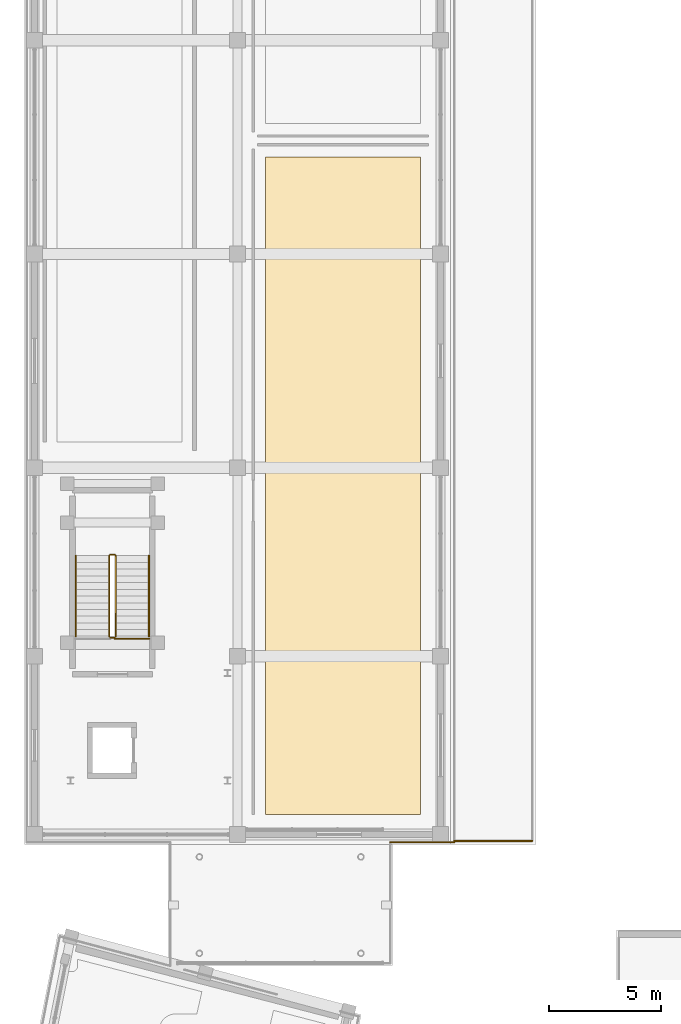
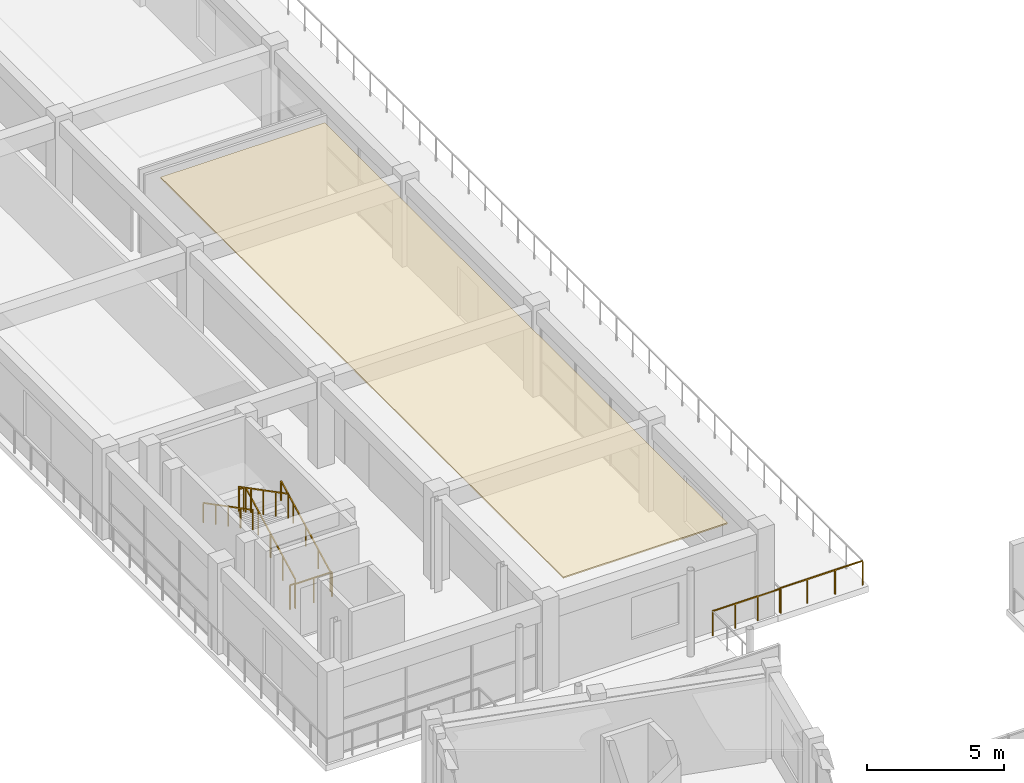
# One storey, part 66 of 70: 9 railings, 1 covering.
"""IFC4 building model written with IfcOpenShell, lengths in metres."""

from ifc_helpers import new_model, si_unit, direction, frame, origin, origin_2d, place, context, subcontext, project, spatial, polyline, rectangle, outline, extrude, material, layer, layer_set, type_object, element, save


model = new_model("IFC4")

# Units and contexts
model_context = context("Model", 3, precision=1e-05, world=origin(), true_north=direction((0.0, 1.0)))
body_context = subcontext(model_context, "Body", "Model", "MODEL_VIEW")
ifc_project = project(units=[si_unit("LENGTHUNIT", "METRE"), si_unit("AREAUNIT", "SQUARE_METRE"), si_unit("VOLUMEUNIT", "CUBIC_METRE"), si_unit("PLANEANGLEUNIT", "RADIAN"), si_unit("MASSUNIT", "GRAM", prefix="KILO")], contexts=[model_context])

# Site, building, storey
site_placement = place(None, origin())
site = spatial("IfcSite", under=ifc_project, at=site_placement, CompositionType="ELEMENT")
building_placement = place(site_placement, origin())
building = spatial("IfcBuilding", under=site, at=building_placement, Name="Saryqyr Civic Hall", CompositionType="ELEMENT")
storey_placement = place(building_placement, frame((0.0, 0.0, 13.199951171875)))
storey = spatial("IfcBuildingStorey", under=building, at=storey_placement, Name="L03", CompositionType="ELEMENT", Elevation=13.199951171875)

# Railing
ifc_material_1 = material(Name="Stainless steel and laminated glass", Category="steel")
ifc_layer_1 = layer(ifc_material_1, 0.06005859375, Name="Stainless steel and laminated glass")
ifc_layer_set_1 = layer_set([ifc_layer_1], Name="Stainless steel and laminated glass")
railing_type_1 = type_object("IfcRailingType", Name="ENV-RLG-BAL-1100", PredefinedType="BALUSTRADE", material=ifc_layer_set_1)
railing_1_placement = place(storey_placement, frame((26.760009765625, 100.9599609375, 0.0)))
element("IfcRailing", 1, at=railing_1_placement, inside=storey, type_object=railing_type_1, Name="Perimeter safety balustrade V3-TERR-L03-G01", PredefinedType="BALUSTRADE", context=body_context, shape_type="SweptSolid", body=[
    extrude(rectangle(XDim=0.048095703125, YDim=0.048095703125, at=origin_2d()), frame((0.0, 0.0, 1.076171875), z_axis=(1.0, 0.0, 0.0), x_axis=(0.0, 1.0, 0.0)), (0.0, 0.0, 1.0), 3.47998046875),
    extrude(rectangle(XDim=0.0419921875, YDim=0.0419921875, at=origin_2d()), origin(), (0.0, 0.0, 1.0), 1.052001953125),
    extrude(rectangle(XDim=0.0419921875, YDim=0.0419921875, at=origin_2d()), frame((1.159912109375, 0.0, 0.0)), (0.0, 0.0, 1.0), 1.052001953125),
    extrude(rectangle(XDim=0.0419921875, YDim=0.0419921875, at=origin_2d()), frame((2.320068359375, 0.0, 0.0)), (0.0, 0.0, 1.0), 1.052001953125),
    extrude(rectangle(XDim=0.0419921875, YDim=0.0419921875, at=origin_2d()), frame((3.47998046875, 0.0, 0.0)), (0.0, 0.0, 1.0), 1.052001953125),
])

# Covering
ifc_material_2 = material(Name="Mineral-fibre acoustic ceiling tile", Category="acoustic_tile")
ifc_layer_2 = layer(ifc_material_2, 0.06005859375, Name="Mineral-fibre acoustic ceiling tile")
ifc_layer_set_2 = layer_set([ifc_layer_2], Name="Mineral-fibre acoustic ceiling tile")
covering_type = type_object("IfcCoveringType", Name="INT-COV-CEIL-60", PredefinedType="CEILING", material=ifc_layer_set_2)
covering_placement = place(storey_placement, frame((0.0, 0.0, 3.72998046875)))
element("IfcCovering", 2, at=covering_placement, inside=storey, type_object=covering_type, Name="Acoustic ceiling Members' Seminar & Book Presentation Room", PredefinedType="CEILING", context=body_context, shape_type="SweptSolid", body=[
    extrude(outline(polyline([(18.35009765625, 102.14990234375), (18.35009765625, 131.449951171875), (25.25, 131.449951171875), (25.25, 102.14990234375), (18.35009765625, 102.14990234375)])), origin(), (0.0, 0.0, 1.0), 0.06005859375),
])

# Railings
ifc_material_3 = material(Name="Warm brushed brass and laminated glass", Category="glass")
ifc_layer_3 = layer(ifc_material_3, 0.06005859375, Name="Warm brushed brass and laminated glass")
ifc_layer_set_3 = layer_set([ifc_layer_3], Name="Warm brushed brass and laminated glass")
railing_type_2 = type_object("IfcRailingType", Name="INT-RLG-BAL-1100", PredefinedType="BALUSTRADE", material=ifc_layer_set_3)
railing_2_placement = place(storey_placement, frame((11.669921875, 110.080078125, 0.15576171875)))
element("IfcRailing", 3, at=railing_2_placement, inside=storey, type_object=railing_type_2, Name="L03 ST-3 stair guard 1", PredefinedType="BALUSTRADE", context=body_context, shape_type="SweptSolid", body=[
    extrude(rectangle(XDim=0.048095703125, YDim=0.048095703125, at=origin_2d()), frame((0.0, 0.0, 1.076171875), z_axis=(0.0, 0.887472880572, 0.460859942119), x_axis=(-1.0, 0.0, 0.0)), (0.0, 0.0, 1.0), 4.056396484375),
    extrude(rectangle(XDim=0.0419921875, YDim=0.0419921875, at=origin_2d()), origin(), (0.0, 0.0, 1.0), 1.052001953125),
    extrude(rectangle(XDim=0.0419921875, YDim=0.0419921875, at=origin_2d()), frame((0.0, 0.89990234375, 0.46728515625)), (0.0, 0.0, 1.0), 1.052001953125),
    extrude(rectangle(XDim=0.0419921875, YDim=0.0419921875, at=origin_2d()), frame((0.0, 1.7998046875, 0.9345703125)), (0.0, 0.0, 1.0), 1.052001953125),
    extrude(rectangle(XDim=0.0419921875, YDim=0.0419921875, at=origin_2d()), frame((0.0, 2.699951171875, 1.402099609375)), (0.0, 0.0, 1.0), 1.052001953125),
    extrude(rectangle(XDim=0.0419921875, YDim=0.0419921875, at=origin_2d()), frame((0.0, 3.599853515625, 1.869384765625)), (0.0, 0.0, 1.0), 1.052001953125),
])
railing_3_placement = place(storey_placement, frame((11.6201171875, 113.72998046875, 2.025146484375)))
element("IfcRailing", 4, at=railing_3_placement, inside=storey, type_object=railing_type_2, Name="L03 ST-3 stair guard 2", PredefinedType="BALUSTRADE", context=body_context, shape_type="SweptSolid", body=[
    extrude(rectangle(XDim=0.048095703125, YDim=0.048095703125, at=origin_2d()), frame((0.0, 0.0, 1.076171875), z_axis=(-1.0, 0.0, 0.0), x_axis=(0.0, -1.0, 0.0)), (0.0, 0.0, 1.0), 0.2001953125),
    extrude(rectangle(XDim=0.0419921875, YDim=0.0419921875, at=origin_2d()), origin(), (0.0, 0.0, 1.0), 1.052001953125),
    extrude(rectangle(XDim=0.0419921875, YDim=0.0419921875, at=origin_2d()), frame((-0.2001953125, 0.0, 0.0)), (0.0, 0.0, 1.0), 1.052001953125),
])
railing_4_placement = place(storey_placement, frame((11.3701171875, 113.679931640625, 2.180908203125)))
element("IfcRailing", 5, at=railing_4_placement, inside=storey, type_object=railing_type_2, Name="L03 ST-3 stair guard 3", PredefinedType="BALUSTRADE", context=body_context, shape_type="SweptSolid", body=[
    extrude(rectangle(XDim=0.048095703125, YDim=0.048095703125, at=origin_2d()), frame((0.0, 0.0, 1.076171875), z_axis=(0.0, -0.887497496945, 0.460812535545), x_axis=(1.0, 0.0, 0.0)), (0.0, 0.0, 1.0), 4.05615234375),
    extrude(rectangle(XDim=0.0419921875, YDim=0.0419921875, at=origin_2d()), origin(), (0.0, 0.0, 1.0), 1.052001953125),
    extrude(rectangle(XDim=0.0419921875, YDim=0.0419921875, at=origin_2d()), frame((0.0, -0.89990234375, 0.46728515625)), (0.0, 0.0, 1.0), 1.052001953125),
    extrude(rectangle(XDim=0.0419921875, YDim=0.0419921875, at=origin_2d()), frame((0.0, -1.7998046875, 0.9345703125)), (0.0, 0.0, 1.0), 1.052001953125),
    extrude(rectangle(XDim=0.0419921875, YDim=0.0419921875, at=origin_2d()), frame((0.0, -2.699951171875, 1.40185546875)), (0.0, 0.0, 1.0), 1.052001953125),
    extrude(rectangle(XDim=0.0419921875, YDim=0.0419921875, at=origin_2d()), frame((0.0, -3.599853515625, 1.869140625)), (0.0, 0.0, 1.0), 1.052001953125),
])
railing_5_placement = place(storey_placement, frame((11.6201171875, 110.030029296875, 0.0)))
element("IfcRailing", 6, at=railing_5_placement, inside=storey, type_object=railing_type_2, Name="L03 ST-3 stair guard 4", PredefinedType="BALUSTRADE", context=body_context, shape_type="SweptSolid", body=[
    extrude(rectangle(XDim=0.048095703125, YDim=0.048095703125, at=origin_2d()), frame((0.0, 0.0, 1.076171875), z_axis=(-1.0, 0.0, 0.0), x_axis=(0.0, -1.0, 0.0)), (0.0, 0.0, 1.0), 0.2001953125),
    extrude(rectangle(XDim=0.0419921875, YDim=0.0419921875, at=origin_2d()), origin(), (0.0, 0.0, 1.0), 1.052001953125),
    extrude(rectangle(XDim=0.0419921875, YDim=0.0419921875, at=origin_2d()), frame((-0.2001953125, 0.0, 0.0)), (0.0, 0.0, 1.0), 1.052001953125),
])
railing_6_placement = place(storey_placement, frame((26.760009765625, 100.89990234375, 0.0)))
element("IfcRailing", 7, at=railing_6_placement, inside=storey, type_object=railing_type_2, Name="Interior deck safety balustrade L03-018", PredefinedType="BALUSTRADE", context=body_context, shape_type="SweptSolid", body=[
    extrude(rectangle(XDim=0.048095703125, YDim=0.048095703125, at=origin_2d()), frame((0.0, 0.0, 1.09619140625), z_axis=(-1.0, 0.0, 0.0), x_axis=(0.0, -1.0, 0.0)), (0.0, 0.0, 1.0), 2.860107421875),
    extrude(rectangle(XDim=0.0419921875, YDim=0.0419921875, at=origin_2d()), origin(), (0.0, 0.0, 1.0), 1.072021484375),
    extrude(rectangle(XDim=0.0419921875, YDim=0.0419921875, at=origin_2d()), frame((-0.953369140625, 0.0, 0.0)), (0.0, 0.0, 1.0), 1.072021484375),
    extrude(rectangle(XDim=0.0419921875, YDim=0.0419921875, at=origin_2d()), frame((-1.90673828125, 0.0, 0.0)), (0.0, 0.0, 1.0), 1.072021484375),
    extrude(rectangle(XDim=0.0419921875, YDim=0.0419921875, at=origin_2d()), frame((-2.860107421875, 0.0, 0.0)), (0.0, 0.0, 1.0), 1.072021484375),
])
railing_7_placement = place(storey_placement, frame((11.6201171875, 109.97998046875, 0.0)))
element("IfcRailing", 8, at=railing_7_placement, inside=storey, type_object=railing_type_2, Name="Interior deck safety balustrade L03-105", PredefinedType="BALUSTRADE", context=body_context, shape_type="SweptSolid", body=[
    extrude(rectangle(XDim=0.048095703125, YDim=0.048095703125, at=origin_2d()), frame((0.0, 0.0, 1.09619140625), z_axis=(1.0, 0.0, 0.0), x_axis=(0.0, 1.0, 0.0)), (0.0, 0.0, 1.0), 1.534912109375),
    extrude(rectangle(XDim=0.0419921875, YDim=0.0419921875, at=origin_2d()), origin(), (0.0, 0.0, 1.0), 1.072021484375),
    extrude(rectangle(XDim=0.0419921875, YDim=0.0419921875, at=origin_2d()), frame((0.767578125, 0.0, 0.0)), (0.0, 0.0, 1.0), 1.072021484375),
    extrude(rectangle(XDim=0.0419921875, YDim=0.0419921875, at=origin_2d()), frame((1.534912109375, 0.0, 0.0)), (0.0, 0.0, 1.0), 1.072021484375),
])
ifc_material_4 = material(Name="Stainless steel", Category="steel")
ifc_layer_4 = layer(ifc_material_4, 0.050048828125, Name="Stainless steel")
ifc_layer_set_4 = layer_set([ifc_layer_4], Name="Stainless steel")
railing_type_3 = type_object("IfcRailingType", Name="INT-RLG-HND-900", PredefinedType="HANDRAIL", material=ifc_layer_set_4)
railing_8_placement = place(storey_placement, frame((13.14990234375, 110.080078125, 0.15576171875)))
element("IfcRailing", 9, at=railing_8_placement, inside=storey, type_object=railing_type_3, Name="L03 ST-3 stair handrail 1", PredefinedType="HANDRAIL", context=body_context, shape_type="SweptSolid", body=[
    extrude(rectangle(XDim=0.048095703125, YDim=0.048095703125, at=origin_2d()), frame((0.0, 0.0, 0.8759765625), z_axis=(0.0, 0.887472880572, 0.460859942119), x_axis=(-1.0, 0.0, 0.0)), (0.0, 0.0, 1.0), 4.056396484375),
    extrude(rectangle(XDim=0.0419921875, YDim=0.0419921875, at=origin_2d()), origin(), (0.0, 0.0, 1.0), 0.851806640625),
    extrude(rectangle(XDim=0.0419921875, YDim=0.0419921875, at=origin_2d()), frame((0.0, 0.89990234375, 0.46728515625)), (0.0, 0.0, 1.0), 0.851806640625),
    extrude(rectangle(XDim=0.0419921875, YDim=0.0419921875, at=origin_2d()), frame((0.0, 1.7998046875, 0.9345703125)), (0.0, 0.0, 1.0), 0.851806640625),
    extrude(rectangle(XDim=0.0419921875, YDim=0.0419921875, at=origin_2d()), frame((0.0, 2.699951171875, 1.402099609375)), (0.0, 0.0, 1.0), 0.851806640625),
    extrude(rectangle(XDim=0.0419921875, YDim=0.0419921875, at=origin_2d()), frame((0.0, 3.599853515625, 1.869384765625)), (0.0, 0.0, 1.0), 0.851806640625),
])
railing_9_placement = place(storey_placement, frame((9.889892578125, 113.679931640625, 2.180908203125)))
element("IfcRailing", 10, at=railing_9_placement, inside=storey, type_object=railing_type_3, Name="L03 ST-3 stair handrail 2", PredefinedType="HANDRAIL", context=body_context, shape_type="SweptSolid", body=[
    extrude(rectangle(XDim=0.048095703125, YDim=0.048095703125, at=origin_2d()), frame((0.0, 0.0, 0.8759765625), z_axis=(0.0, -0.887497496945, 0.460812535545), x_axis=(1.0, 0.0, 0.0)), (0.0, 0.0, 1.0), 4.05615234375),
    extrude(rectangle(XDim=0.0419921875, YDim=0.0419921875, at=origin_2d()), origin(), (0.0, 0.0, 1.0), 0.851806640625),
    extrude(rectangle(XDim=0.0419921875, YDim=0.0419921875, at=origin_2d()), frame((0.0, -0.89990234375, 0.46728515625)), (0.0, 0.0, 1.0), 0.851806640625),
    extrude(rectangle(XDim=0.0419921875, YDim=0.0419921875, at=origin_2d()), frame((0.0, -1.7998046875, 0.9345703125)), (0.0, 0.0, 1.0), 0.851806640625),
    extrude(rectangle(XDim=0.0419921875, YDim=0.0419921875, at=origin_2d()), frame((0.0, -2.699951171875, 1.40185546875)), (0.0, 0.0, 1.0), 0.851806640625),
    extrude(rectangle(XDim=0.0419921875, YDim=0.0419921875, at=origin_2d()), frame((0.0, -3.599853515625, 1.869140625)), (0.0, 0.0, 1.0), 0.851806640625),
])

save(model, "model.ifc")
